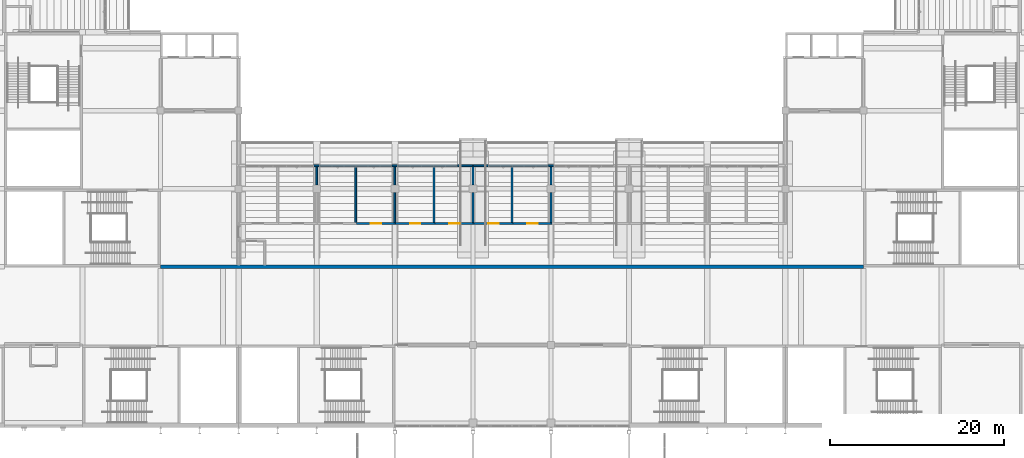
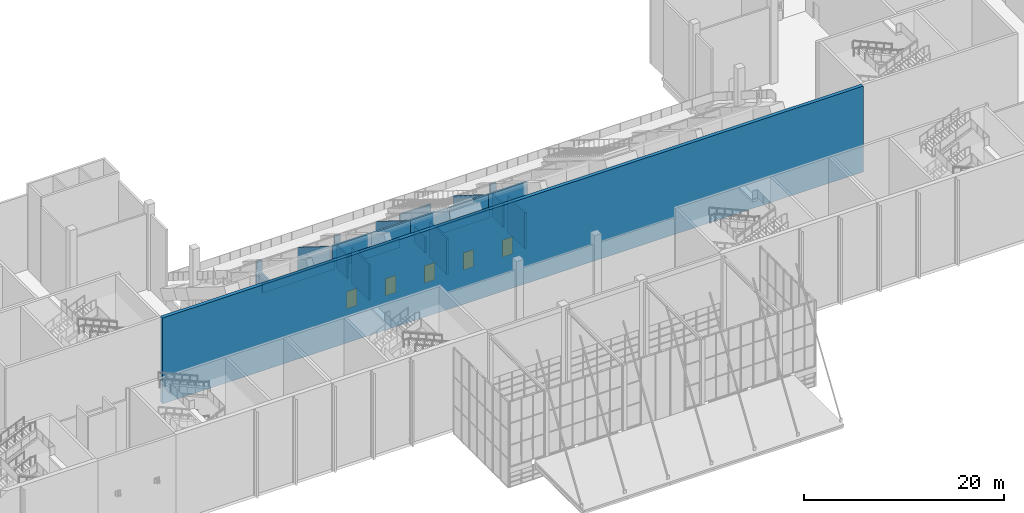
# One storey, part 82 of 182: 23 walls, 5 doors, 5 openings.
"""IFC4 building model written with IfcOpenShell, lengths in metres."""

from ifc_helpers import new_model, si_unit, direction, frame, frame_2d, origin, place, context, subcontext, project, spatial, polyline, rectangle, outline, extrude, material, layer, layer_set, type_object, element, fill, save


model = new_model("IFC4")

# Units and contexts
model_context = context("Model", 3, precision=1e-05, world=origin(), true_north=direction((0.0, 1.0)))
body_context = subcontext(model_context, "Body", "Model", "MODEL_VIEW")
ifc_project = project(units=[si_unit("LENGTHUNIT", "METRE"), si_unit("AREAUNIT", "SQUARE_METRE"), si_unit("VOLUMEUNIT", "CUBIC_METRE"), si_unit("PLANEANGLEUNIT", "RADIAN"), si_unit("MASSUNIT", "GRAM", prefix="KILO")], contexts=[model_context])

# Site, building, storey
site_placement = place(None, origin())
site = spatial("IfcSite", under=ifc_project, at=site_placement, CompositionType="ELEMENT")
building_placement = place(site_placement, origin())
building = spatial("IfcBuilding", under=site, at=building_placement, Name="Silverbay Arena", CompositionType="ELEMENT")
storey_placement = place(building_placement, frame((0.0, 0.0, 11.5)))
storey = spatial("IfcBuildingStorey", under=building, at=storey_placement, Name="L02", CompositionType="ELEMENT", Elevation=11.5)

# Wall, opening, door
ifc_material_1 = material(Name="Masonry blockwork partition", Category="masonry")
ifc_layer_1 = layer(ifc_material_1, 0.199951171875)
ifc_layer_set_1 = layer_set([ifc_layer_1], Name="Masonry blockwork partition")
wall_type_1 = type_object("IfcWallType", Name="Partition 200 EI 120", PredefinedType="PARTITIONING", material=ifc_layer_set_1)
wall_1_placement = place(storey_placement, frame((112.60009765625, 41.0, 0.0), z_axis=(0.0, 0.0, 1.0), x_axis=(1.0, 0.0, 0.0)))
wall_1 = element("IfcWall", 1, at=wall_1_placement, inside=storey, type_object=wall_type_1, Name="Partition wall", PredefinedType="PARTITIONING", context=body_context, shape_type="SweptSolid", body=[
    extrude(rectangle(XDim=4.5, YDim=0.199951171875, at=frame_2d((2.25, 0.0))), origin(), (0.0, 0.0, 1.0), 8.257568359375),
])
opening_1_placement = place(wall_1_placement, frame((1.64990234375, 0.0, 0.0)))
opening_1 = element("IfcOpeningElement", 2, at=opening_1_placement, cuts=wall_1, Name="Opening L02-027", PredefinedType="OPENING", context=body_context, shape_type="SweptSolid", body=[
    extrude(rectangle(XDim=1.199951171875, YDim=2.10009765625, at=frame_2d((0.60009765625, 1.050048828125))), frame((0.0, 0.10986328125, 0.0), z_axis=(0.0, -1.0, 0.0), x_axis=(1.0, 0.0, 0.0)), (0.0, 0.0, 1.0), 0.219970703125),
])
ifc_material_2 = material(Name="Steel faced timber", Category="steel")
door_type = type_object("IfcDoorType", Name="Single leaf door 1200 x 2100 FD120", OperationType="SINGLE_SWING_LEFT", PredefinedType="DOOR", material=ifc_material_2)
door_1_placement = place(opening_1_placement, origin())
door_1 = element("IfcDoor", 3, at=door_1_placement, inside=storey, type_object=door_type, Name="Door L02-027", OperationType="SINGLE_SWING_LEFT", OverallHeight=2.10009765625, OverallWidth=1.199951171875, PredefinedType="DOOR", context=body_context, shape_type="SweptSolid", body=[
    extrude(rectangle(XDim=1.199951171875, YDim=2.10009765625, at=frame_2d((0.60009765625, 1.050048828125))), frame((0.0, 0.02490234375, 0.0), z_axis=(0.0, -1.0, 0.0), x_axis=(1.0, 0.0, 0.0)), (0.0, 0.0, 1.0), 0.050048828125),
])
fill(opening_1, door_1)

wall_2_placement = place(storey_placement, frame((117.10009765625, 41.0, 0.0), z_axis=(0.0, 0.0, 1.0), x_axis=(1.0, 0.0, 0.0)))
wall_2 = element("IfcWall", 4, at=wall_2_placement, inside=storey, type_object=wall_type_1, Name="Partition wall", PredefinedType="PARTITIONING", context=body_context, shape_type="SweptSolid", body=[
    extrude(rectangle(XDim=4.5, YDim=0.199951171875, at=frame_2d((2.25, 0.0))), origin(), (0.0, 0.0, 1.0), 8.257568359375),
])
opening_2_placement = place(wall_2_placement, frame((1.64990234375, 0.0, 0.0)))
opening_2 = element("IfcOpeningElement", 5, at=opening_2_placement, cuts=wall_2, Name="Opening L02-028", PredefinedType="OPENING", context=body_context, shape_type="SweptSolid", body=[
    extrude(rectangle(XDim=1.199951171875, YDim=2.10009765625, at=frame_2d((0.60009765625, 1.050048828125))), frame((0.0, 0.10986328125, 0.0), z_axis=(0.0, -1.0, 0.0), x_axis=(1.0, 0.0, 0.0)), (0.0, 0.0, 1.0), 0.219970703125),
])
door_2_placement = place(opening_2_placement, origin())
door_2 = element("IfcDoor", 6, at=door_2_placement, inside=storey, type_object=door_type, Name="Door L02-028", OperationType="SINGLE_SWING_RIGHT", OverallHeight=2.10009765625, OverallWidth=1.199951171875, PredefinedType="DOOR", context=body_context, shape_type="SweptSolid", body=[
    extrude(rectangle(XDim=1.199951171875, YDim=2.10009765625, at=frame_2d((0.60009765625, 1.050048828125))), frame((0.0, 0.02490234375, 0.0), z_axis=(0.0, -1.0, 0.0), x_axis=(1.0, 0.0, 0.0)), (0.0, 0.0, 1.0), 0.050048828125),
])
fill(opening_2, door_2)

wall_3_placement = place(storey_placement, frame((121.60009765625, 41.0, 0.0), z_axis=(0.0, 0.0, 1.0), x_axis=(1.0, 0.0, 0.0)))
wall_3 = element("IfcWall", 7, at=wall_3_placement, inside=storey, type_object=wall_type_1, Name="Partition wall", PredefinedType="PARTITIONING", context=body_context, shape_type="SweptSolid", body=[
    extrude(rectangle(XDim=4.5, YDim=0.199951171875, at=frame_2d((2.25, 0.0))), origin(), (0.0, 0.0, 1.0), 8.257568359375),
])
opening_3_placement = place(wall_3_placement, frame((1.64990234375, 0.0, 0.0)))
opening_3 = element("IfcOpeningElement", 8, at=opening_3_placement, cuts=wall_3, Name="Opening L02-029", PredefinedType="OPENING", context=body_context, shape_type="SweptSolid", body=[
    extrude(rectangle(XDim=1.199951171875, YDim=2.10009765625, at=frame_2d((0.60009765625, 1.050048828125))), frame((0.0, 0.10986328125, 0.0), z_axis=(0.0, -1.0, 0.0), x_axis=(1.0, 0.0, 0.0)), (0.0, 0.0, 1.0), 0.219970703125),
])
door_3_placement = place(opening_3_placement, origin())
door_3 = element("IfcDoor", 9, at=door_3_placement, inside=storey, type_object=door_type, Name="Door L02-029", OperationType="SINGLE_SWING_LEFT", OverallHeight=2.10009765625, OverallWidth=1.199951171875, PredefinedType="DOOR", context=body_context, shape_type="SweptSolid", body=[
    extrude(rectangle(XDim=1.199951171875, YDim=2.10009765625, at=frame_2d((0.60009765625, 1.050048828125))), frame((0.0, 0.02490234375, 0.0), z_axis=(0.0, -1.0, 0.0), x_axis=(1.0, 0.0, 0.0)), (0.0, 0.0, 1.0), 0.050048828125),
])
fill(opening_3, door_3)

wall_4_placement = place(storey_placement, frame((126.10009765625, 41.0, 0.0), z_axis=(0.0, 0.0, 1.0), x_axis=(1.0, 0.0, 0.0)))
wall_4 = element("IfcWall", 10, at=wall_4_placement, inside=storey, type_object=wall_type_1, Name="Partition wall", PredefinedType="PARTITIONING", context=body_context, shape_type="SweptSolid", body=[
    extrude(rectangle(XDim=4.5, YDim=0.199951171875, at=frame_2d((2.25, 0.0))), origin(), (0.0, 0.0, 1.0), 8.257568359375),
])
opening_4_placement = place(wall_4_placement, frame((1.64990234375, 0.0, 0.0)))
opening_4 = element("IfcOpeningElement", 11, at=opening_4_placement, cuts=wall_4, Name="Opening L02-030", PredefinedType="OPENING", context=body_context, shape_type="SweptSolid", body=[
    extrude(rectangle(XDim=1.199951171875, YDim=2.10009765625, at=frame_2d((0.60009765625, 1.050048828125))), frame((0.0, 0.10986328125, 0.0), z_axis=(0.0, -1.0, 0.0), x_axis=(1.0, 0.0, 0.0)), (0.0, 0.0, 1.0), 0.219970703125),
])
door_4_placement = place(opening_4_placement, origin())
door_4 = element("IfcDoor", 12, at=door_4_placement, inside=storey, type_object=door_type, Name="Door L02-030", OperationType="SINGLE_SWING_RIGHT", OverallHeight=2.10009765625, OverallWidth=1.199951171875, PredefinedType="DOOR", context=body_context, shape_type="SweptSolid", body=[
    extrude(rectangle(XDim=1.199951171875, YDim=2.10009765625, at=frame_2d((0.60009765625, 1.050048828125))), frame((0.0, 0.02490234375, 0.0), z_axis=(0.0, -1.0, 0.0), x_axis=(1.0, 0.0, 0.0)), (0.0, 0.0, 1.0), 0.050048828125),
])
fill(opening_4, door_4)

wall_5_placement = place(storey_placement, frame((130.60009765625, 41.0, 0.0), z_axis=(0.0, 0.0, 1.0), x_axis=(1.0, 0.0, 0.0)))
wall_5 = element("IfcWall", 13, at=wall_5_placement, inside=storey, type_object=wall_type_1, Name="Partition wall", PredefinedType="PARTITIONING", context=body_context, shape_type="SweptSolid", body=[
    extrude(rectangle(XDim=4.5, YDim=0.199951171875, at=frame_2d((2.25, 0.0))), origin(), (0.0, 0.0, 1.0), 8.257568359375),
])
opening_5_placement = place(wall_5_placement, frame((1.64990234375, 0.0, 0.0)))
opening_5 = element("IfcOpeningElement", 14, at=opening_5_placement, cuts=wall_5, Name="Opening L02-031", PredefinedType="OPENING", context=body_context, shape_type="SweptSolid", body=[
    extrude(rectangle(XDim=1.199951171875, YDim=2.10009765625, at=frame_2d((0.60009765625, 1.050048828125))), frame((0.0, 0.10986328125, 0.0), z_axis=(0.0, -1.0, 0.0), x_axis=(1.0, 0.0, 0.0)), (0.0, 0.0, 1.0), 0.219970703125),
])
door_5_placement = place(opening_5_placement, origin())
door_5 = element("IfcDoor", 15, at=door_5_placement, inside=storey, type_object=door_type, Name="Door L02-031", OperationType="SINGLE_SWING_LEFT", OverallHeight=2.10009765625, OverallWidth=1.199951171875, PredefinedType="DOOR", context=body_context, shape_type="SweptSolid", body=[
    extrude(rectangle(XDim=1.199951171875, YDim=2.10009765625, at=frame_2d((0.60009765625, 1.050048828125))), frame((0.0, 0.02490234375, 0.0), z_axis=(0.0, -1.0, 0.0), x_axis=(1.0, 0.0, 0.0)), (0.0, 0.0, 1.0), 0.050048828125),
])
fill(opening_5, door_5)

# Walls
ifc_material_3 = material(Name="Gypsum board partition on steel studs", Category="steel")
ifc_layer_2 = layer(ifc_material_3, 0.199951171875)
ifc_layer_set_2 = layer_set([ifc_layer_2], Name="Gypsum board partition on steel studs")
wall_type_2 = type_object("IfcWallType", Name="Partition 200 EI 60", PredefinedType="PARTITIONING", material=ifc_layer_set_2)
wall_6_placement = place(storey_placement, frame((108.0, 45.449951171875, 0.0), z_axis=(0.0, 0.0, 1.0), x_axis=(0.0, 1.0, 0.0)))
element("IfcWall", 16, at=wall_6_placement, inside=storey, type_object=wall_type_2, Name="Partition wall", PredefinedType="PARTITIONING", context=body_context, shape_type="SweptSolid", body=[
    extrude(outline(polyline([(0.0, 0.0), (2.150146484375, 0.0), (2.14990234375, 2.83251953125), (2.0791015625, 2.876953125), (0.0, 2.876953125), (0.0, 0.0)])), frame((0.0, 0.10009765625, 0.0), z_axis=(0.0, -1.0, 0.0), x_axis=(1.0, 0.0, 0.0)), (0.0, 0.0, 1.0), 0.199951171875),
])
wall_7_placement = place(storey_placement, frame((112.5, 41.10009765625, 0.0), z_axis=(0.0, 0.0, 1.0), x_axis=(0.0, 1.0, 0.0)))
element("IfcWall", 17, at=wall_7_placement, inside=storey, type_object=wall_type_2, Name="Partition wall", PredefinedType="PARTITIONING", context=body_context, shape_type="SweptSolid", body=[
    extrude(outline(polyline([(0.0, 0.0), (6.5, 0.0), (6.5, 4.132568359375), (0.0, 8.195068359375), (0.0, 0.0)])), frame((0.0, 0.10009765625, 0.0), z_axis=(0.0, -1.0, 0.0), x_axis=(1.0, 0.0, 0.0)), (0.0, 0.0, 1.0), 0.199951171875),
])
wall_8_placement = place(storey_placement, frame((117.0, 41.10009765625, 0.0), z_axis=(0.0, 0.0, 1.0), x_axis=(0.0, 1.0, 0.0)))
element("IfcWall", 18, at=wall_8_placement, inside=storey, type_object=wall_type_2, Name="Partition wall", PredefinedType="PARTITIONING", context=body_context, shape_type="SweptSolid", body=[
    extrude(rectangle(XDim=3.449951171875, YDim=0.199951171875, at=frame_2d((1.72509765625, 0.0))), origin(), (0.0, 0.0, 1.0), 4.43896484375),
])
wall_9_placement = place(storey_placement, frame((117.0, 45.449951171875, 0.0), z_axis=(0.0, 0.0, 1.0), x_axis=(0.0, 1.0, 0.0)))
element("IfcWall", 19, at=wall_9_placement, inside=storey, type_object=wall_type_2, Name="Partition wall", PredefinedType="PARTITIONING", context=body_context, shape_type="SweptSolid", body=[
    extrude(outline(polyline([(0.0, 0.0), (2.150146484375, 0.0), (2.14990234375, 2.83251953125), (2.0791015625, 2.876953125), (0.0, 2.876953125), (0.0, 0.0)])), frame((0.0, 0.10009765625, 0.0), z_axis=(0.0, -1.0, 0.0), x_axis=(1.0, 0.0, 0.0)), (0.0, 0.0, 1.0), 0.199951171875),
])
wall_10_placement = place(storey_placement, frame((121.5, 41.10009765625, 0.0), z_axis=(0.0, 0.0, 1.0), x_axis=(0.0, 1.0, 0.0)))
element("IfcWall", 20, at=wall_10_placement, inside=storey, type_object=wall_type_2, Name="Partition wall", PredefinedType="PARTITIONING", context=body_context, shape_type="SweptSolid", body=[
    extrude(outline(polyline([(0.0, 0.0), (6.5, 0.0), (6.5, 4.132568359375), (0.0, 8.195068359375), (0.0, 0.0)])), frame((0.0, 0.10009765625, 0.0), z_axis=(0.0, -1.0, 0.0), x_axis=(1.0, 0.0, 0.0)), (0.0, 0.0, 1.0), 0.199951171875),
])
wall_11_placement = place(storey_placement, frame((126.0, 41.10009765625, 0.0), z_axis=(0.0, 0.0, 1.0), x_axis=(0.0, 1.0, 0.0)))
element("IfcWall", 21, at=wall_11_placement, inside=storey, type_object=wall_type_2, Name="Partition wall", PredefinedType="PARTITIONING", context=body_context, shape_type="SweptSolid", body=[
    extrude(rectangle(XDim=3.449951171875, YDim=0.199951171875, at=frame_2d((1.72509765625, 0.0))), origin(), (0.0, 0.0, 1.0), 4.43896484375),
])
wall_12_placement = place(storey_placement, frame((126.0, 45.449951171875, 0.0), z_axis=(0.0, 0.0, 1.0), x_axis=(0.0, 1.0, 0.0)))
element("IfcWall", 22, at=wall_12_placement, inside=storey, type_object=wall_type_2, Name="Partition wall", PredefinedType="PARTITIONING", context=body_context, shape_type="SweptSolid", body=[
    extrude(rectangle(XDim=2.150146484375, YDim=0.199951171875, at=frame_2d((1.0751953125, 0.0))), origin(), (0.0, 0.0, 1.0), 1.93896484375),
])
wall_13_placement = place(storey_placement, frame((130.5, 41.10009765625, 0.0), z_axis=(0.0, 0.0, 1.0), x_axis=(0.0, 1.0, 0.0)))
element("IfcWall", 23, at=wall_13_placement, inside=storey, type_object=wall_type_2, Name="Partition wall", PredefinedType="PARTITIONING", context=body_context, shape_type="SweptSolid", body=[
    extrude(outline(polyline([(0.0, 0.0), (6.5, 0.0), (6.5, 4.132568359375), (0.0, 8.195068359375), (0.0, 0.0)])), frame((0.0, 0.10009765625, 0.0), z_axis=(0.0, -1.0, 0.0), x_axis=(1.0, 0.0, 0.0)), (0.0, 0.0, 1.0), 0.199951171875),
])
wall_14_placement = place(storey_placement, frame((135.0, 41.10009765625, 0.0), z_axis=(0.0, 0.0, 1.0), x_axis=(0.0, 1.0, 0.0)))
element("IfcWall", 24, at=wall_14_placement, inside=storey, type_object=wall_type_2, Name="Partition wall", PredefinedType="PARTITIONING", context=body_context, shape_type="SweptSolid", body=[
    extrude(rectangle(XDim=3.449951171875, YDim=0.199951171875, at=frame_2d((1.72509765625, 0.0))), origin(), (0.0, 0.0, 1.0), 4.43896484375),
])
wall_15_placement = place(storey_placement, frame((135.0, 45.449951171875, 0.0), z_axis=(0.0, 0.0, 1.0), x_axis=(0.0, 1.0, 0.0)))
element("IfcWall", 25, at=wall_15_placement, inside=storey, type_object=wall_type_2, Name="Partition wall", PredefinedType="PARTITIONING", context=body_context, shape_type="SweptSolid", body=[
    extrude(outline(polyline([(0.0, 0.0), (2.150146484375, 0.0), (2.14990234375, 2.83251953125), (2.0791015625, 2.876953125), (0.0, 2.876953125), (0.0, 0.0)])), frame((0.0, 0.10009765625, 0.0), z_axis=(0.0, -1.0, 0.0), x_axis=(1.0, 0.0, 0.0)), (0.0, 0.0, 1.0), 0.199951171875),
])
ifc_material_4 = material(Name="Concrete Grade C45", Category="concrete")
ifc_layer_3 = layer(ifc_material_4, 0.39990234375)
ifc_layer_set_3 = layer_set([ifc_layer_3], Name="Concrete Grade C45")
wall_type_3 = type_object("IfcWallType", Name="RC back wall 400 EI 120", PredefinedType="SOLIDWALL", material=ifc_layer_set_3)
wall_16_placement = place(storey_placement, frame((90.0, 36.0, 0.0), z_axis=(0.0, 0.0, 1.0), x_axis=(1.0, 0.0, 0.0)))
element("IfcWall", 26, at=wall_16_placement, inside=storey, type_object=wall_type_3, Name="Bowl back wall L02 01", PredefinedType="SOLIDWALL", context=body_context, shape_type="SweptSolid", body=[
    extrude(rectangle(XDim=81.0, YDim=0.39990234375, at=frame_2d((40.5, 0.0))), origin(), (0.0, 0.0, 1.0), 10.5),
])
ifc_material_5 = material(Name="Concrete Grade C45", Category="concrete")
ifc_layer_4 = layer(ifc_material_5, 0.199951171875)
ifc_layer_set_4 = layer_set([ifc_layer_4], Name="Concrete Grade C45")
wall_type_4 = type_object("IfcWallType", Name="Suite front pier wall 200 EI 120", PredefinedType="SOLIDWALL", material=ifc_layer_set_4)
for number, where, z_axis, x_axis, name in (
    (27, (107.64990234375, 47.64990234375, 0.0), (0.0, 0.0, 1.0), (1.0, 0.0, 0.0), "South suite front pier 2"),
    (28, (116.64990234375, 47.64990234375, 0.0), (0.0, 0.0, 1.0), (1.0, 0.0, 0.0), "South suite front pier 3"),
):
    element("IfcWall", number, at=place(storey_placement, frame(where, z_axis=z_axis, x_axis=x_axis)), inside=storey, type_object=wall_type_4, Name=name, PredefinedType="SOLIDWALL", context=body_context, shape_type="SweptSolid", body=[
        extrude(rectangle(XDim=0.7001953125, YDim=0.199951171875, at=frame_2d((0.35009765625, 0.0))), origin(), (0.0, 0.0, 1.0), 4.033935546875),
    ])
wall_17_placement = place(storey_placement, frame((124.199951171875, 47.64990234375, 0.0), z_axis=(0.0, 0.0, 1.0), x_axis=(1.0, 0.0, 0.0)))
element("IfcWall", 29, at=wall_17_placement, inside=storey, type_object=wall_type_4, Name="South suite front pier 4", PredefinedType="SOLIDWALL", context=body_context, shape_type="SweptSolid", body=[
    extrude(rectangle(XDim=3.60009765625, YDim=0.199951171875, at=frame_2d((1.800048828125, 0.0))), origin(), (0.0, 0.0, 1.0), 4.033935546875),
])
wall_18_placement = place(storey_placement, frame((134.64990234375, 47.64990234375, 0.0), z_axis=(0.0, 0.0, 1.0), x_axis=(1.0, 0.0, 0.0)))
element("IfcWall", 30, at=wall_18_placement, inside=storey, type_object=wall_type_4, Name="South suite front pier 5", PredefinedType="SOLIDWALL", context=body_context, shape_type="SweptSolid", body=[
    extrude(rectangle(XDim=0.7001953125, YDim=0.199951171875, at=frame_2d((0.35009765625, 0.0))), origin(), (0.0, 0.0, 1.0), 4.033935546875),
])
ifc_material_6 = material(Name="Concrete Grade C45", Category="concrete")
ifc_layer_5 = layer(ifc_material_6, 0.199951171875)
ifc_layer_set_5 = layer_set([ifc_layer_5], Name="Concrete Grade C45")
wall_type_5 = type_object("IfcWallType", Name="Suite front spandrel wall 200 EI 120", PredefinedType="SOLIDWALL", material=ifc_layer_set_5)
wall_19_placement = place(storey_placement, frame((108.35009765625, 47.64990234375, 0.0), z_axis=(0.0, 0.0, 1.0), x_axis=(1.0, 0.0, 0.0)))
element("IfcWall", 31, at=wall_19_placement, inside=storey, type_object=wall_type_5, Name="South suite front spandrel 2", PredefinedType="SOLIDWALL", context=body_context, shape_type="SweptSolid", body=[
    extrude(rectangle(XDim=8.2998046875, YDim=0.199951171875, at=frame_2d((4.14990234375, 0.0))), origin(), (0.0, 0.0, 1.0), 1.10009765625),
])
for number, where, z_axis, x_axis, name in (
    (32, (117.35009765625, 47.64990234375, 0.0), (0.0, 0.0, 1.0), (1.0, 0.0, 0.0), "South suite front spandrel 3"),
    (33, (127.800048828125, 47.64990234375, 0.0), (0.0, 0.0, 1.0), (1.0, 0.0, 0.0), "South suite front spandrel 4"),
):
    element("IfcWall", number, at=place(storey_placement, frame(where, z_axis=z_axis, x_axis=x_axis)), inside=storey, type_object=wall_type_5, Name=name, PredefinedType="SOLIDWALL", context=body_context, shape_type="SweptSolid", body=[
        extrude(rectangle(XDim=6.849853515625, YDim=0.199951171875, at=frame_2d((3.4248046875, 0.0))), origin(), (0.0, 0.0, 1.0), 1.10009765625),
    ])

save(model, "model.ifc")
